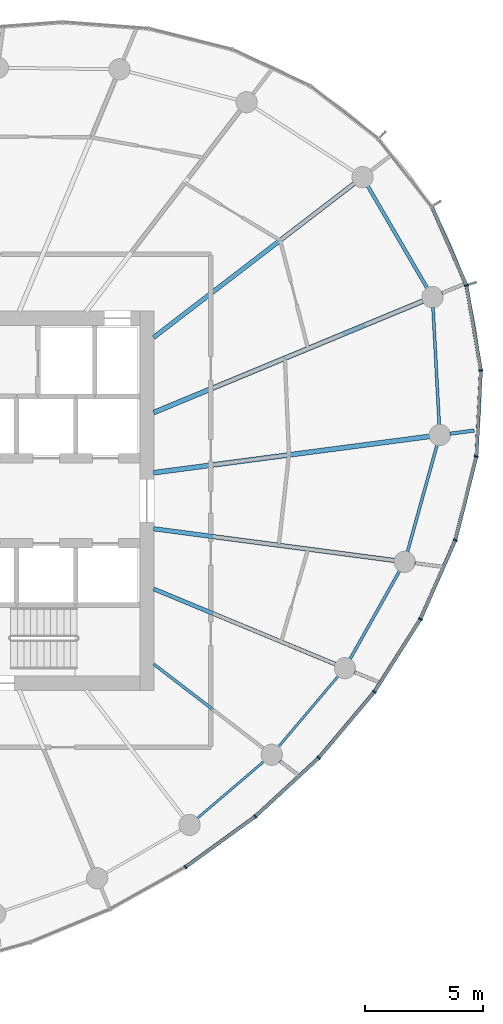
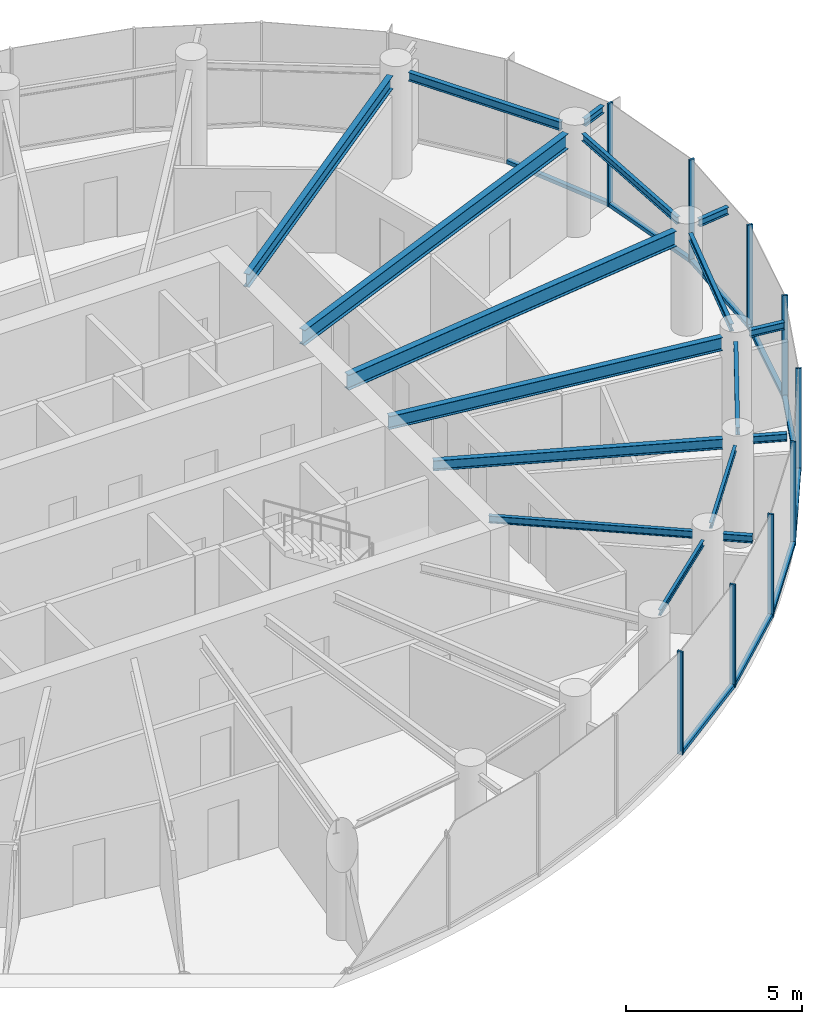
# One storey, part 5 of 14: 18 members, 17 beams, 2 elements without a shape of their own.
"""IFC4 building model written with IfcOpenShell, lengths in metres."""

from ifc_helpers import new_model, si_unit, direction, frame, origin, origin_2d, place, context, subcontext, project, spatial, rectangle, i_section, extrude, source, transform, mapped, material, layer, layer_set, material_profile, profile_set, type_object, element, aggregate, save


model = new_model("IFC4")

# Units and contexts
model_context = context("Model", 3, precision=1e-05, world=origin(), true_north=direction((0.0, 1.0)))
body_context = subcontext(model_context, "Body", "Model", "MODEL_VIEW")
ifc_project = project(units=[si_unit("LENGTHUNIT", "METRE"), si_unit("AREAUNIT", "SQUARE_METRE"), si_unit("VOLUMEUNIT", "CUBIC_METRE"), si_unit("PLANEANGLEUNIT", "RADIAN"), si_unit("MASSUNIT", "GRAM", prefix="KILO")], contexts=[model_context])

# Site, building, storey
site_placement = place(None, origin())
site = spatial("IfcSite", under=ifc_project, at=site_placement, CompositionType="ELEMENT")
building_placement = place(site_placement, origin())
building = spatial("IfcBuilding", under=site, at=building_placement, Name="Spindrift Exchange Tower", CompositionType="ELEMENT")
storey_placement = place(building_placement, frame((0.0, 0.0, 203.300048828125)))
storey = spatial("IfcBuildingStorey", under=building, at=storey_placement, Name="L49", CompositionType="ELEMENT", Elevation=203.300048828125)

# Beams
ifc_material_1 = material(Name="Steel Grade 300", Category="steel")
ifc_material_profile_1 = material_profile(ifc_material_1, i_section(OverallWidth=0.14599609375, OverallDepth=0.251953125, WebThickness=0.006103515625, FlangeThickness=0.008544921875, FilletRadius=0.011962890625, at=origin_2d()), Name="250UB31.4")
ifc_profile_set_1 = profile_set([ifc_material_profile_1], Name="Steel Grade 300")
beam_type_1 = type_object("IfcBeamType", Name="Cantilever Beam 250UB31.4 Steel Grade 300", PredefinedType="BEAM", material=ifc_profile_set_1)
shared_shape_1 = source(origin(), body_context, "Body", "SweptSolid", [
    extrude(i_section(OverallWidth=0.14599609375, OverallDepth=0.251953125, WebThickness=0.006103515625, FlangeThickness=0.008544921875, FilletRadius=0.011962890625, at=origin_2d()), origin(), (0.0, 0.0, 1.0), 0.859619140625),
])
beam_1_placement = place(storey_placement, frame((73.150390625, 56.7607421875, 3.453857421875), z_axis=(0.923923380362, 0.382577557131, 0.0), x_axis=(-0.382577557131, 0.923923380362, 0.0)))
element("IfcBeam", 1, at=beam_1_placement, inside=storey, type_object=beam_type_1, Name="L49 cantilever beam R02T", PredefinedType="BEAM", context=body_context, shape_type="MappedRepresentation", body=[
    mapped(shared_shape_1, transform((0.0, 0.0, 0.0), scale=1.0)),
])
ifc_material_profile_2 = material_profile(ifc_material_1, i_section(OverallWidth=0.208984375, OverallDepth=0.528076171875, WebThickness=0.009521484375, FlangeThickness=0.01318359375, FilletRadius=0.013916015625, at=origin_2d()), Name="530UB82.0")
ifc_profile_set_2 = profile_set([ifc_material_profile_2], Name="Steel Grade 300")
beam_type_2 = type_object("IfcBeamType", Name="Floor Beam 530UB82.0 Steel Grade 300", PredefinedType="BEAM", material=ifc_profile_set_2)
shared_shape_2 = source(origin(), body_context, "Body", "SweptSolid", [
    extrude(i_section(OverallWidth=0.208984375, OverallDepth=0.528076171875, WebThickness=0.009521484375, FlangeThickness=0.01318359375, FilletRadius=0.013916015625, at=origin_2d()), origin(), (0.0, 0.0, 1.0), 11.75634765625),
])
beam_2_placement = place(storey_placement, frame((60.980224609375, 49.182373046875, 3.31591796875), z_axis=(0.991445811455, 0.13051897543, 0.0), x_axis=(-0.13051897543, 0.991445811455, 0.0)))
element("IfcBeam", 2, at=beam_2_placement, inside=storey, type_object=beam_type_2, Name="L49 radial beam R01A", PredefinedType="BEAM", context=body_context, shape_type="MappedRepresentation", body=[
    mapped(shared_shape_2, transform((0.0, 0.0, 0.0), scale=1.0)),
])
shared_shape_3 = source(origin(), body_context, "Body", "SweptSolid", [
    extrude(i_section(OverallWidth=0.208984375, OverallDepth=0.528076171875, WebThickness=0.009521484375, FlangeThickness=0.01318359375, FilletRadius=0.013916015625, at=origin_2d()), origin(), (0.0, 0.0, 1.0), 12.3115234375),
])
beam_3_placement = place(storey_placement, frame((60.9814453125, 51.72021484375, 3.31591796875), z_axis=(0.923878099838, 0.382686891126, 0.0), x_axis=(-0.382686891126, 0.923878099838, 0.0)))
element("IfcBeam", 3, at=beam_3_placement, inside=storey, type_object=beam_type_2, Name="L49 radial beam R02A", PredefinedType="BEAM", context=body_context, shape_type="MappedRepresentation", body=[
    mapped(shared_shape_3, transform((0.0, 0.0, 0.0), scale=1.0)),
])
ifc_material_profile_3 = material_profile(ifc_material_1, i_section(OverallWidth=0.18994140625, OverallDepth=0.4541015625, WebThickness=0.008544921875, FlangeThickness=0.0126953125, FilletRadius=0.013916015625, at=origin_2d()), Name="460UB67.1")
ifc_profile_set_3 = profile_set([ifc_material_profile_3], Name="Steel Grade 300")
beam_type_3 = type_object("IfcBeamType", Name="Floor Beam 460UB67.1 Steel Grade 300", PredefinedType="BEAM", material=ifc_profile_set_3)
shared_shape_4 = source(origin(), body_context, "Body", "SweptSolid", [
    extrude(i_section(OverallWidth=0.18994140625, OverallDepth=0.4541015625, WebThickness=0.008544921875, FlangeThickness=0.0126953125, FilletRadius=0.013916015625, at=origin_2d()), origin(), (0.0, 0.0, 1.0), 10.684814453125),
])
beam_4_placement = place(storey_placement, frame((60.984130859375, 54.893798828125, 3.35302734375), z_axis=(0.793357316898, 0.608756246559, 0.0), x_axis=(-0.608756246559, 0.793357316898, 0.0)))
element("IfcBeam", 4, at=beam_4_placement, inside=storey, type_object=beam_type_3, Name="L49 radial beam R03A", PredefinedType="BEAM", context=body_context, shape_type="MappedRepresentation", body=[
    mapped(shared_shape_4, transform((0.0, 0.0, 0.0), scale=1.0)),
])
ifc_material_profile_4 = material_profile(ifc_material_1, i_section(OverallWidth=0.1240234375, OverallDepth=0.248046875, WebThickness=0.0048828125, FlangeThickness=0.008056640625, FilletRadius=0.011962890625, at=origin_2d()), Name="250UB25.7")
ifc_profile_set_4 = profile_set([ifc_material_profile_4], Name="Steel Grade 300")
beam_type_4 = type_object("IfcBeamType", Name="Floor Beam 250UB25.7 Steel Grade 300", PredefinedType="BEAM", material=ifc_profile_set_4)
shared_shape_5 = source(origin(), body_context, "Body", "SweptSolid", [
    extrude(i_section(OverallWidth=0.1240234375, OverallDepth=0.248046875, WebThickness=0.0048828125, FlangeThickness=0.008056640625, FilletRadius=0.011962890625, at=origin_2d()), origin(), (0.0, 0.0, 1.0), 5.855712890625),
])
beam_5_placement = place(storey_placement, frame((60.984130859375, 41.106201171875, 3.4560546875), z_axis=(0.793362708479, -0.608749219954, 0.0), x_axis=(0.608749219954, 0.793362708479, 0.0)))
element("IfcBeam", 5, at=beam_5_placement, inside=storey, type_object=beam_type_4, Name="L49 radial beam R22A", PredefinedType="BEAM", context=body_context, shape_type="MappedRepresentation", body=[
    mapped(shared_shape_5, transform((0.0, 0.0, 0.0), scale=1.0)),
])
ifc_material_profile_5 = material_profile(ifc_material_1, i_section(OverallWidth=0.1708984375, OverallDepth=0.35205078125, WebThickness=0.0068359375, FlangeThickness=0.009765625, FilletRadius=0.013916015625, at=origin_2d()), Name="360UB44.7")
ifc_profile_set_5 = profile_set([ifc_material_profile_5], Name="Steel Grade 300")
beam_type_5 = type_object("IfcBeamType", Name="Floor Beam 360UB44.7 Steel Grade 300", PredefinedType="BEAM", material=ifc_profile_set_5)
shared_shape_6 = source(origin(), body_context, "Body", "SweptSolid", [
    extrude(i_section(OverallWidth=0.1708984375, OverallDepth=0.35205078125, WebThickness=0.0068359375, FlangeThickness=0.009765625, FilletRadius=0.013916015625, at=origin_2d()), origin(), (0.0, 0.0, 1.0), 8.3134765625),
])
beam_6_placement = place(storey_placement, frame((60.9814453125, 44.27978515625, 3.404052734375), z_axis=(0.923881179957, -0.382679455055, 0.0), x_axis=(0.382679455055, 0.923881179957, 0.0)))
element("IfcBeam", 6, at=beam_6_placement, inside=storey, type_object=beam_type_5, Name="L49 radial beam R23A", PredefinedType="BEAM", context=body_context, shape_type="MappedRepresentation", body=[
    mapped(shared_shape_6, transform((0.0, 0.0, 0.0), scale=1.0)),
])
shared_shape_7 = source(origin(), body_context, "Body", "SweptSolid", [
    extrude(i_section(OverallWidth=0.18994140625, OverallDepth=0.4541015625, WebThickness=0.008544921875, FlangeThickness=0.0126953125, FilletRadius=0.013916015625, at=origin_2d()), origin(), (0.0, 0.0, 1.0), 10.262451171875),
])
beam_7_placement = place(storey_placement, frame((60.980224609375, 46.817626953125, 3.35302734375), z_axis=(0.991446763371, -0.130511744304, 0.0), x_axis=(0.130511744304, 0.991446763371, 0.0)))
element("IfcBeam", 7, at=beam_7_placement, inside=storey, type_object=beam_type_3, Name="L49 radial beam R24A", PredefinedType="BEAM", context=body_context, shape_type="MappedRepresentation", body=[
    mapped(shared_shape_7, transform((0.0, 0.0, 0.0), scale=1.0)),
])
ifc_material_profile_6 = material_profile(ifc_material_1, i_section(OverallWidth=0.1240234375, OverallDepth=0.248046875, WebThickness=0.0048828125, FlangeThickness=0.008056640625, FilletRadius=0.011962890625, at=origin_2d()), Name="250UB25.7")
ifc_profile_set_6 = profile_set([ifc_material_profile_6], Name="Steel Grade 300")
beam_type_6 = type_object("IfcBeamType", Name="Edge Beam 250UB25.7 Steel Grade 300", PredefinedType="SPANDREL", material=ifc_profile_set_6)
shared_shape_8 = source(origin(), body_context, "Body", "SweptSolid", [
    extrude(i_section(OverallWidth=0.1240234375, OverallDepth=0.248046875, WebThickness=0.0048828125, FlangeThickness=0.008056640625, FilletRadius=0.011962890625, at=origin_2d()), origin(), (0.0, 0.0, 1.0), 4.971435546875),
])
beam_8_placement = place(storey_placement, frame((73.03955078125, 51.202392578125, 3.4560546875), z_axis=(-0.053038255124, 0.998592481192, 0.0), x_axis=(-0.998592481192, -0.053038255124, 0.0)))
element("IfcBeam", 8, at=beam_8_placement, inside=storey, type_object=beam_type_6, Name="L49 edge beam E01", PredefinedType="SPANDREL", context=body_context, shape_type="MappedRepresentation", body=[
    mapped(shared_shape_8, transform((0.0, 0.0, 0.0), scale=1.0)),
])
ifc_material_profile_7 = material_profile(ifc_material_1, i_section(OverallWidth=0.14892578125, OverallDepth=0.298095703125, WebThickness=0.005615234375, FlangeThickness=0.008056640625, FilletRadius=0.012939453125, at=origin_2d()), Name="310UB32.0")
ifc_profile_set_7 = profile_set([ifc_material_profile_7], Name="Steel Grade 300")
beam_type_7 = type_object("IfcBeamType", Name="Edge Beam 310UB32.0 Steel Grade 300", PredefinedType="SPANDREL", material=ifc_profile_set_7)
shared_shape_9 = source(origin(), body_context, "Body", "SweptSolid", [
    extrude(i_section(OverallWidth=0.14892578125, OverallDepth=0.298095703125, WebThickness=0.005615234375, FlangeThickness=0.008056640625, FilletRadius=0.012939453125, at=origin_2d()), origin(), (0.0, 0.0, 1.0), 5.0009765625),
])
beam_9_placement = place(storey_placement, frame((72.53662109375, 56.9677734375, 3.430908203125), z_axis=(-0.503512812094, 0.863987759205, 0.0), x_axis=(-0.863987759205, -0.503512812094, 0.0)))
element("IfcBeam", 9, at=beam_9_placement, inside=storey, type_object=beam_type_7, Name="L49 edge beam E02", PredefinedType="SPANDREL", context=body_context, shape_type="MappedRepresentation", body=[
    mapped(shared_shape_9, transform((0.0, 0.0, 0.0), scale=1.0)),
])
ifc_material_profile_8 = material_profile(ifc_material_1, i_section(OverallWidth=0.09912109375, OverallDepth=0.197998046875, WebThickness=0.00439453125, FlangeThickness=0.007080078125, FilletRadius=0.010986328125, at=origin_2d()), Name="200UB18.2")
ifc_profile_set_8 = profile_set([ifc_material_profile_8], Name="Steel Grade 300")
beam_type_8 = type_object("IfcBeamType", Name="Edge Beam 200UB18.2 Steel Grade 300", PredefinedType="SPANDREL", material=ifc_profile_set_8)
shared_shape_10 = source(origin(), body_context, "Body", "SweptSolid", [
    extrude(i_section(OverallWidth=0.09912109375, OverallDepth=0.197998046875, WebThickness=0.00439453125, FlangeThickness=0.007080078125, FilletRadius=0.010986328125, at=origin_2d()), origin(), (0.0, 0.0, 1.0), 3.703857421875),
])
beam_10_placement = place(storey_placement, frame((62.826416015625, 34.59619140625, 3.48095703125), z_axis=(0.7606692863, 0.64913961278, 0.0), x_axis=(-0.64913961278, 0.7606692863, 0.0)))
element("IfcBeam", 10, at=beam_10_placement, inside=storey, type_object=beam_type_8, Name="L49 edge beam E21", PredefinedType="SPANDREL", context=body_context, shape_type="MappedRepresentation", body=[
    mapped(shared_shape_10, transform((0.0, 0.0, 0.0), scale=1.0)),
])
shared_shape_11 = source(origin(), body_context, "Body", "SweptSolid", [
    extrude(i_section(OverallWidth=0.09912109375, OverallDepth=0.197998046875, WebThickness=0.00439453125, FlangeThickness=0.007080078125, FilletRadius=0.010986328125, at=origin_2d()), origin(), (0.0, 0.0, 1.0), 3.92431640625),
])
beam_11_placement = place(storey_placement, frame((66.24853515625, 37.608154296875, 3.48095703125), z_axis=(0.645498720032, 0.763761351757, 0.0), x_axis=(-0.763761351757, 0.645498720032, 0.0)))
element("IfcBeam", 11, at=beam_11_placement, inside=storey, type_object=beam_type_8, Name="L49 edge beam E22", PredefinedType="SPANDREL", context=body_context, shape_type="MappedRepresentation", body=[
    mapped(shared_shape_11, transform((0.0, 0.0, 0.0), scale=1.0)),
])
shared_shape_12 = source(origin(), body_context, "Body", "SweptSolid", [
    extrude(i_section(OverallWidth=0.1240234375, OverallDepth=0.248046875, WebThickness=0.0048828125, FlangeThickness=0.008056640625, FilletRadius=0.011962890625, at=origin_2d()), origin(), (0.0, 0.0, 1.0), 4.2880859375),
])
beam_12_placement = place(storey_placement, frame((69.27001953125, 41.30859375, 3.4560546875), z_axis=(0.489804347673, 0.871832381253, 0.0), x_axis=(-0.871832381253, 0.489804347673, 0.0)))
element("IfcBeam", 12, at=beam_12_placement, inside=storey, type_object=beam_type_6, Name="L49 edge beam E23", PredefinedType="SPANDREL", context=body_context, shape_type="MappedRepresentation", body=[
    mapped(shared_shape_12, transform((0.0, 0.0, 0.0), scale=1.0)),
])
shared_shape_13 = source(origin(), body_context, "Body", "SweptSolid", [
    extrude(i_section(OverallWidth=0.1240234375, OverallDepth=0.248046875, WebThickness=0.0048828125, FlangeThickness=0.008056640625, FilletRadius=0.011962890625, at=origin_2d()), origin(), (0.0, 0.0, 1.0), 4.69189453125),
])
beam_13_placement = place(storey_placement, frame((71.69580078125, 45.83642578125, 3.4560546875), z_axis=(0.266774248618, 0.963759046792, 0.0), x_axis=(-0.963759046792, 0.266774248618, 0.0)))
element("IfcBeam", 13, at=beam_13_placement, inside=storey, type_object=beam_type_6, Name="L49 edge beam E24", PredefinedType="SPANDREL", context=body_context, shape_type="MappedRepresentation", body=[
    mapped(shared_shape_13, transform((0.0, 0.0, 0.0), scale=1.0)),
])
shared_shape_14 = source(origin(), body_context, "Body", "SweptSolid", [
    extrude(i_section(OverallWidth=0.14599609375, OverallDepth=0.251953125, WebThickness=0.006103515625, FlangeThickness=0.008544921875, FilletRadius=0.011962890625, at=origin_2d()), origin(), (0.0, 0.0, 1.0), 1.0380859375),
])
beam_14_placement = place(storey_placement, frame((73.488525390625, 50.8291015625, 3.453857421875), z_axis=(0.991446289497, 0.130515344087, 0.0), x_axis=(-0.130515344087, 0.991446289497, 0.0)))
element("IfcBeam", 14, at=beam_14_placement, inside=storey, type_object=beam_type_1, Name="L49 cantilever beam R01T", PredefinedType="BEAM", context=body_context, shape_type="MappedRepresentation", body=[
    mapped(shared_shape_14, transform((0.0, 0.0, 0.0), scale=1.0)),
])
shared_shape_15 = source(origin(), body_context, "Body", "SweptSolid", [
    extrude(i_section(OverallWidth=0.14599609375, OverallDepth=0.251953125, WebThickness=0.006103515625, FlangeThickness=0.008544921875, FilletRadius=0.011962890625, at=origin_2d()), origin(), (0.0, 0.0, 1.0), 0.850341796875),
])
beam_15_placement = place(storey_placement, frame((66.31201171875, 37.017822265625, 3.453857421875), z_axis=(0.793476968481, -0.608600279732, 0.0), x_axis=(0.608600279732, 0.793476968481, 0.0)))
element("IfcBeam", 15, at=beam_15_placement, inside=storey, type_object=beam_type_1, Name="L49 cantilever beam R22T", PredefinedType="BEAM", context=body_context, shape_type="MappedRepresentation", body=[
    mapped(shared_shape_15, transform((0.0, 0.0, 0.0), scale=1.0)),
])
shared_shape_16 = source(origin(), body_context, "Body", "SweptSolid", [
    extrude(i_section(OverallWidth=0.14599609375, OverallDepth=0.251953125, WebThickness=0.006103515625, FlangeThickness=0.008544921875, FilletRadius=0.011962890625, at=origin_2d()), origin(), (0.0, 0.0, 1.0), 0.97412109375),
])
beam_16_placement = place(storey_placement, frame((69.456787109375, 40.769287109375, 3.453857421875), z_axis=(0.923861027853, -0.382728103508, 0.0), x_axis=(0.382728103508, 0.923861027853, 0.0)))
element("IfcBeam", 16, at=beam_16_placement, inside=storey, type_object=beam_type_1, Name="L49 cantilever beam R23T", PredefinedType="BEAM", context=body_context, shape_type="MappedRepresentation", body=[
    mapped(shared_shape_16, transform((0.0, 0.0, 0.0), scale=1.0)),
])
shared_shape_17 = source(origin(), body_context, "Body", "SweptSolid", [
    extrude(i_section(OverallWidth=0.14599609375, OverallDepth=0.251953125, WebThickness=0.006103515625, FlangeThickness=0.008544921875, FilletRadius=0.011962890625, at=origin_2d()), origin(), (0.0, 0.0, 1.0), 1.058837890625),
])
beam_17_placement = place(storey_placement, frame((72.00732421875, 45.365966796875, 3.453857421875), z_axis=(0.991448016129, -0.130502227239, 0.0), x_axis=(0.130502227239, 0.991448016129, 0.0)))
element("IfcBeam", 17, at=beam_17_placement, inside=storey, type_object=beam_type_1, Name="L49 cantilever beam R24T", PredefinedType="BEAM", context=body_context, shape_type="MappedRepresentation", body=[
    mapped(shared_shape_17, transform((0.0, 0.0, 0.0), scale=1.0)),
])

# Curtain wall, members
ifc_material_2 = material(Name="Fritted laminated glass with bronze frame", Category="glass")
ifc_layer = layer(ifc_material_2, 0.169921875)
ifc_layer_set = layer_set([ifc_layer], Name="ZONE 4 BRONZE FRITTED WALL")
curtain_wall_type = type_object("IfcCurtainWallType", Name="ZONE 4 BRONZE FRITTED WALL", PredefinedType="NOTDEFINED", material=ifc_layer_set)
curtain_wall_1_placement = place(storey_placement, origin())
curtain_wall_1 = element("IfcCurtainWall", 18, at=curtain_wall_1_placement, inside=storey, type_object=curtain_wall_type, Name="L49 Zone 4 Bronze Fritted Wall run 5", PredefinedType="NOTDEFINED")
ifc_material_3 = material(Name="Bronze anodised aluminium", Category="aluminium")
ifc_material_profile_9 = material_profile(ifc_material_3, rectangle(XDim=0.06494140625, YDim=0.169921875, at=origin_2d()), Name="ZONE 4 BRONZE FRITTED WALL MULLION 65X170")
ifc_profile_set_9 = profile_set([ifc_material_profile_9], Name="Bronze anodised aluminium")
member_type_1 = type_object("IfcMemberType", Name="ZONE 4 BRONZE FRITTED WALL MULLION 65X170", PredefinedType="MULLION", material=ifc_profile_set_9)
shared_shape_18 = source(origin(), body_context, "Body", "SweptSolid", [
    extrude(rectangle(XDim=0.06494140625, YDim=0.169921875, at=origin_2d()), origin(), (0.0, 0.0, 1.0), 3.579833984375),
])
member_1_placement = place(storey_placement, frame((62.3251953125, 32.5361328125, 0.0), z_axis=(0.0, 0.0, 1.0), x_axis=(0.842518310505, 0.538667705051, 0.0)))
member_1 = element("IfcMember", 19, at=member_1_placement, type_object=member_type_1, Name="L49 mullion CW-4.29", PredefinedType="MULLION", context=body_context, shape_type="MappedRepresentation", body=[
    mapped(shared_shape_18, transform((0.0, 0.0, 0.0), scale=1.0)),
])
member_2_placement = place(storey_placement, frame((65.275146484375, 34.673583984375, 0.0), z_axis=(0.0, 0.0, 1.0), x_axis=(0.773461186298, 0.633843666285, 0.0)))
member_2 = element("IfcMember", 20, at=member_2_placement, type_object=member_type_1, Name="L49 mullion CW-4.30", PredefinedType="MULLION", context=body_context, shape_type="MappedRepresentation", body=[
    mapped(shared_shape_18, transform((0.0, 0.0, 0.0), scale=1.0)),
])

curtain_wall_2_placement = place(storey_placement, origin())
curtain_wall_2 = element("IfcCurtainWall", 21, at=curtain_wall_2_placement, inside=storey, type_object=curtain_wall_type, Name="L49 Zone 4 Bronze Fritted Wall run 6", PredefinedType="NOTDEFINED")
member_3_placement = place(storey_placement, frame((67.950439453125, 37.14599609375, 0.0), z_axis=(0.0, 0.0, 1.0), x_axis=(0.690661309249, 0.72317837074, 0.0)))
member_3 = element("IfcMember", 22, at=member_3_placement, type_object=member_type_1, Name="L49 mullion CW-4.31", PredefinedType="MULLION", context=body_context, shape_type="MappedRepresentation", body=[
    mapped(shared_shape_18, transform((0.0, 0.0, 0.0), scale=1.0)),
])
member_4_placement = place(storey_placement, frame((70.296875, 39.931884765625, 0.0), z_axis=(0.0, 0.0, 1.0), x_axis=(0.591219892488, 0.806510408319, 0.0)))
member_4 = element("IfcMember", 23, at=member_4_placement, type_object=member_type_1, Name="L49 mullion CW-4.32", PredefinedType="MULLION", context=body_context, shape_type="MappedRepresentation", body=[
    mapped(shared_shape_18, transform((0.0, 0.0, 0.0), scale=1.0)),
])
member_5_placement = place(storey_placement, frame((72.247314453125, 43.00732421875, 0.0), z_axis=(0.0, 0.0, 1.0), x_axis=(0.471048735458, 0.882107186697, 0.0)))
member_5 = element("IfcMember", 24, at=member_5_placement, type_object=member_type_1, Name="L49 mullion CW-4.33", PredefinedType="MULLION", context=body_context, shape_type="MappedRepresentation", body=[
    mapped(shared_shape_18, transform((0.0, 0.0, 0.0), scale=1.0)),
])
member_6_placement = place(storey_placement, frame((73.718017578125, 46.338134765625, 0.0), z_axis=(0.0, 0.0, 1.0), x_axis=(0.325140742054, 0.945665637452, 0.0)))
member_6 = element("IfcMember", 25, at=member_6_placement, type_object=member_type_1, Name="L49 mullion CW-4.34", PredefinedType="MULLION", context=body_context, shape_type="MappedRepresentation", body=[
    mapped(shared_shape_18, transform((0.0, 0.0, 0.0), scale=1.0)),
])
member_7_placement = place(storey_placement, frame((74.606201171875, 49.8681640625, 0.0), z_axis=(0.0, 0.0, 1.0), x_axis=(0.148928786473, 0.988847923879, 0.0)))
member_7 = element("IfcMember", 26, at=member_7_placement, type_object=member_type_1, Name="L49 mullion CW-4.35", PredefinedType="MULLION", context=body_context, shape_type="MappedRepresentation", body=[
    mapped(shared_shape_18, transform((0.0, 0.0, 0.0), scale=1.0)),
])
member_8_placement = place(storey_placement, frame((74.796875, 53.50146484375, 0.0), z_axis=(0.0, 0.0, 1.0), x_axis=(-0.058211777898, 0.998304256684, 0.0)))
member_8 = element("IfcMember", 27, at=member_8_placement, type_object=member_type_1, Name="L49 mullion CW-4.36", PredefinedType="MULLION", context=body_context, shape_type="MappedRepresentation", body=[
    mapped(shared_shape_18, transform((0.0, 0.0, 0.0), scale=1.0)),
])
member_9_placement = place(storey_placement, frame((74.185546875, 57.086181640625, 0.0), z_axis=(0.0, 0.0, 1.0), x_axis=(-0.286900523108, 0.9579603801, 0.0)))
member_9 = element("IfcMember", 28, at=member_9_placement, type_object=member_type_1, Name="L49 mullion CW-4.37", PredefinedType="MULLION", context=body_context, shape_type="MappedRepresentation", body=[
    mapped(shared_shape_18, transform((0.0, 0.0, 0.0), scale=1.0)),
])

# Member
ifc_material_profile_10 = material_profile(ifc_material_3, rectangle(XDim=0.14990234375, YDim=0.125, at=origin_2d()), Name="ZONE 4 BRONZE FRITTED WALL TRANSOM 150X125")
ifc_profile_set_10 = profile_set([ifc_material_profile_10], Name="Bronze anodised aluminium")
member_type_2 = type_object("IfcMemberType", Name="ZONE 4 BRONZE FRITTED WALL TRANSOM 150X125", PredefinedType="USERDEFINED", material=ifc_profile_set_10)
shared_shape_19 = source(origin(), body_context, "Body", "SweptSolid", [
    extrude(rectangle(XDim=0.14990234375, YDim=0.125, at=origin_2d()), origin(), (0.0, 0.0, 1.0), 3.577880859375),
])
member_10_placement = place(storey_placement, frame((62.3515625, 32.55517578125, 0.0625), z_axis=(0.809758770431, 0.58676292803, 0.0), x_axis=(-0.58676292803, 0.809758770431, 0.0)))
member_10 = element("IfcMember", 29, at=member_10_placement, type_object=member_type_2, Name="L49 transom CW-4.29", ObjectType="TRANSOM", PredefinedType="USERDEFINED", context=body_context, shape_type="MappedRepresentation", body=[
    mapped(shared_shape_19, transform((0.0, 0.0, 0.0), scale=1.0)),
])

shared_shape_20 = source(origin(), body_context, "Body", "SweptSolid", [
    extrude(rectangle(XDim=0.14990234375, YDim=0.125, at=origin_2d()), origin(), (0.0, 0.0, 1.0), 3.57666015625),
])
member_11_placement = place(storey_placement, frame((70.314208984375, 39.959228515625, 0.0625), z_axis=(0.535558648317, 0.844498036832, 0.0), x_axis=(-0.844498036832, 0.535558648317, 0.0)))
member_11 = element("IfcMember", 30, at=member_11_placement, type_object=member_type_2, Name="L49 transom CW-4.32", ObjectType="TRANSOM", PredefinedType="USERDEFINED", context=body_context, shape_type="MappedRepresentation", body=[
    mapped(shared_shape_20, transform((0.0, 0.0, 0.0), scale=1.0)),
])

shared_shape_21 = source(origin(), body_context, "Body", "SweptSolid", [
    extrude(rectangle(XDim=0.14990234375, YDim=0.125, at=origin_2d()), origin(), (0.0, 0.0, 1.0), 3.577392578125),
])
member_12_placement = place(storey_placement, frame((65.299072265625, 34.69580078125, 0.0625), z_axis=(0.734434429655, 0.678679650894, 0.0), x_axis=(-0.678679650894, 0.734434429655, 0.0)))
member_12 = element("IfcMember", 31, at=member_12_placement, type_object=member_type_2, Name="L49 transom CW-4.30", ObjectType="TRANSOM", PredefinedType="USERDEFINED", context=body_context, shape_type="MappedRepresentation", body=[
    mapped(shared_shape_21, transform((0.0, 0.0, 0.0), scale=1.0)),
])

aggregate(curtain_wall_1, [member_1, member_10, member_2, member_12])

member_13_placement = place(storey_placement, frame((67.971435546875, 37.170654296875, 0.0625), z_axis=(0.64416306543, 0.764888191264, 0.0), x_axis=(-0.764888191264, 0.64416306543, 0.0)))
member_13 = element("IfcMember", 32, at=member_13_placement, type_object=member_type_2, Name="L49 transom CW-4.31", ObjectType="TRANSOM", PredefinedType="USERDEFINED", context=body_context, shape_type="MappedRepresentation", body=[
    mapped(shared_shape_21, transform((0.0, 0.0, 0.0), scale=1.0)),
])

shared_shape_22 = source(origin(), body_context, "Body", "SweptSolid", [
    extrude(rectangle(XDim=0.14990234375, YDim=0.125, at=origin_2d()), origin(), (0.0, 0.0, 1.0), 3.5703125),
])
member_14_placement = place(storey_placement, frame((74.17236328125, 57.115966796875, 0.0625), z_axis=(-0.401399884728, 0.915902905629, 0.0), x_axis=(-0.915902905629, -0.401399884728, 0.0)))
member_14 = element("IfcMember", 33, at=member_14_placement, type_object=member_type_2, Name="L49 transom CW-4.37", ObjectType="TRANSOM", PredefinedType="USERDEFINED", context=body_context, shape_type="MappedRepresentation", body=[
    mapped(shared_shape_22, transform((0.0, 0.0, 0.0), scale=1.0)),
])

shared_shape_23 = source(origin(), body_context, "Body", "SweptSolid", [
    extrude(rectangle(XDim=0.14990234375, YDim=0.125, at=origin_2d()), origin(), (0.0, 0.0, 1.0), 3.571533203125),
])
member_15_placement = place(storey_placement, frame((74.79150390625, 53.533447265625, 0.0625), z_axis=(-0.168155521573, 0.985760478293, 0.0), x_axis=(-0.985760478293, -0.168155521573, 0.0)))
member_15 = element("IfcMember", 34, at=member_15_placement, type_object=member_type_2, Name="L49 transom CW-4.36", ObjectType="TRANSOM", PredefinedType="USERDEFINED", context=body_context, shape_type="MappedRepresentation", body=[
    mapped(shared_shape_23, transform((0.0, 0.0, 0.0), scale=1.0)),
])

shared_shape_24 = source(origin(), body_context, "Body", "SweptSolid", [
    extrude(rectangle(XDim=0.14990234375, YDim=0.125, at=origin_2d()), origin(), (0.0, 0.0, 1.0), 3.5732421875),
])
member_16_placement = place(storey_placement, frame((74.60791015625, 49.900634765625, 0.0625), z_axis=(0.052404631283, 0.99862593328, 0.0), x_axis=(-0.99862593328, 0.052404631283, 0.0)))
member_16 = element("IfcMember", 35, at=member_16_placement, type_object=member_type_2, Name="L49 transom CW-4.35", ObjectType="TRANSOM", PredefinedType="USERDEFINED", context=body_context, shape_type="MappedRepresentation", body=[
    mapped(shared_shape_24, transform((0.0, 0.0, 0.0), scale=1.0)),
])

shared_shape_25 = source(origin(), body_context, "Body", "SweptSolid", [
    extrude(rectangle(XDim=0.14990234375, YDim=0.125, at=origin_2d()), origin(), (0.0, 0.0, 1.0), 3.5751953125),
])
member_17_placement = place(storey_placement, frame((73.725830078125, 46.36962890625, 0.0625), z_axis=(0.244061765302, 0.969759689159, 0.0), x_axis=(-0.969759689159, 0.244061765302, 0.0)))
member_17 = element("IfcMember", 36, at=member_17_placement, type_object=member_type_2, Name="L49 transom CW-4.34", ObjectType="TRANSOM", PredefinedType="USERDEFINED", context=body_context, shape_type="MappedRepresentation", body=[
    mapped(shared_shape_25, transform((0.0, 0.0, 0.0), scale=1.0)),
])

shared_shape_26 = source(origin(), body_context, "Body", "SweptSolid", [
    extrude(rectangle(XDim=0.14990234375, YDim=0.125, at=origin_2d()), origin(), (0.0, 0.0, 1.0), 3.575927734375),
])
member_18_placement = place(storey_placement, frame((72.26025390625, 43.037109375, 0.0625), z_axis=(0.403964583761, 0.914774625286, 0.0), x_axis=(-0.914774625286, 0.403964583761, 0.0)))
member_18 = element("IfcMember", 37, at=member_18_placement, type_object=member_type_2, Name="L49 transom CW-4.33", ObjectType="TRANSOM", PredefinedType="USERDEFINED", context=body_context, shape_type="MappedRepresentation", body=[
    mapped(shared_shape_26, transform((0.0, 0.0, 0.0), scale=1.0)),
])

aggregate(curtain_wall_2, [member_3, member_13, member_4, member_11, member_5, member_18, member_6, member_17, member_7, member_16, member_8, member_15, member_9, member_14])

save(model, "model.ifc")
